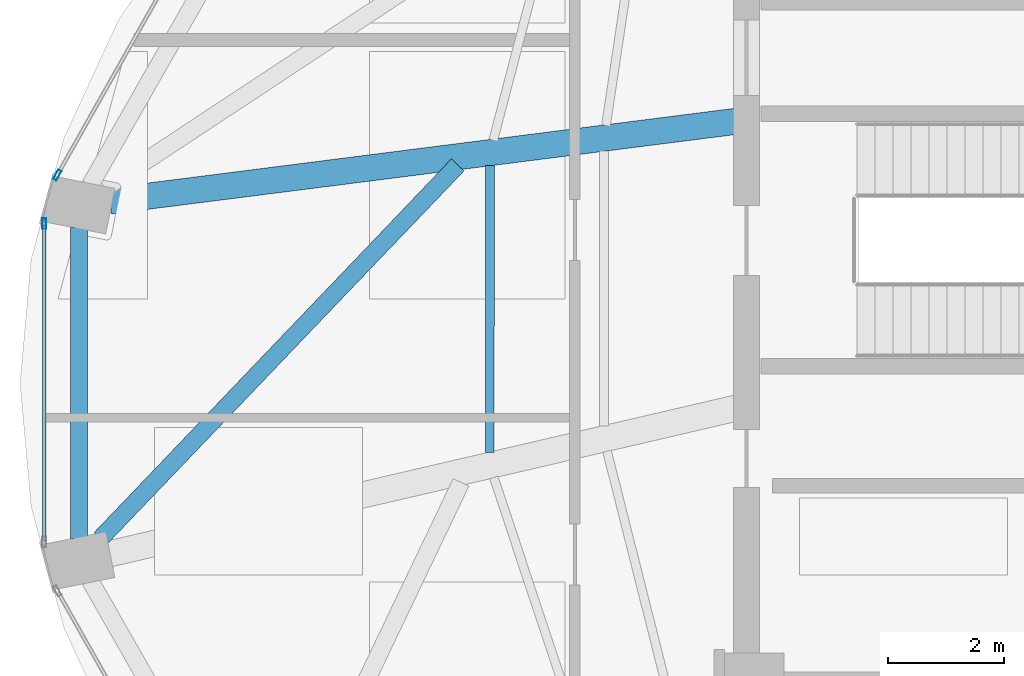
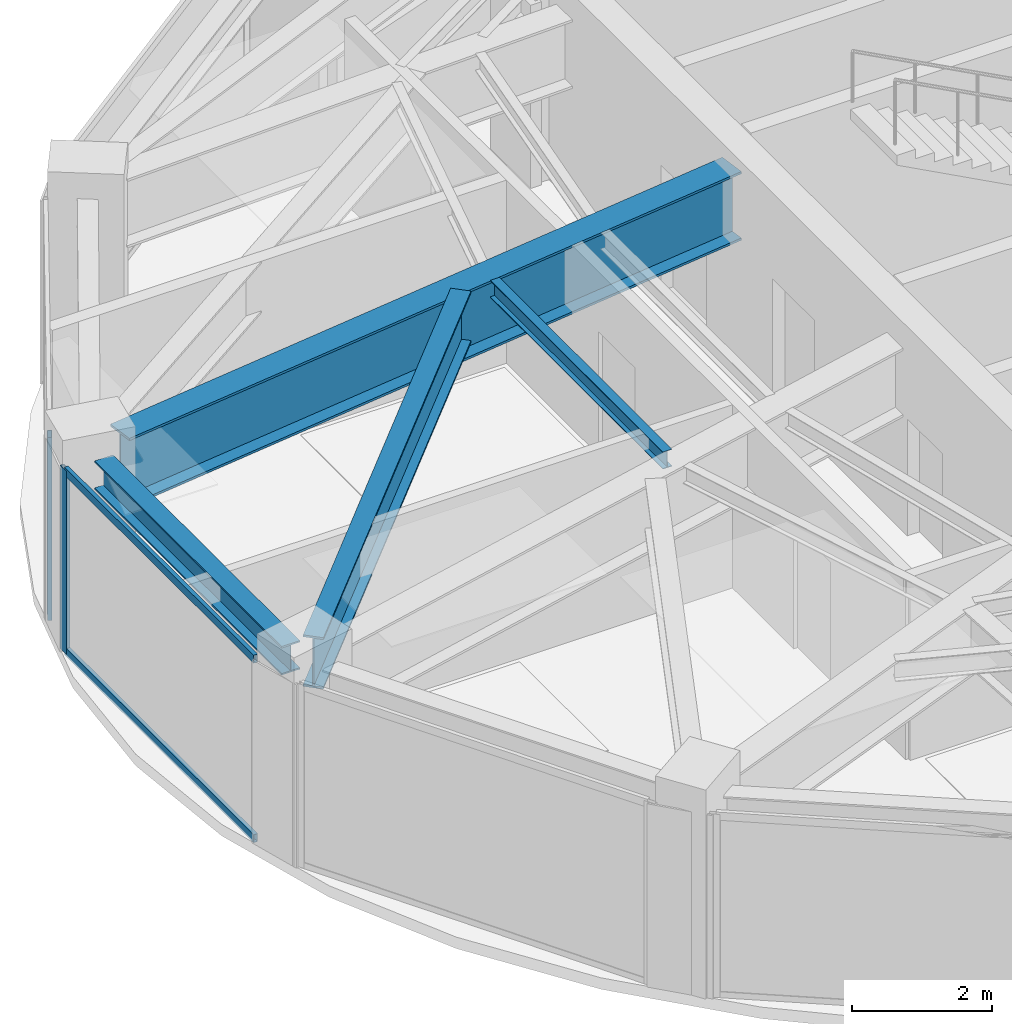
# One storey, part 8 of 23: 4 beams, 4 members, 2 elements without a shape of their own.
"""IFC4 building model written with IfcOpenShell, lengths in metres."""

import ifcopenshell
import ifcopenshell.guid

model = None  # the IFC model being written
_history = None  # IfcOwnerHistory: only IFC2X3 demands one
_inside = {}  # id of a spatial element -> (the spatial element, [elements in it])
_under = {}  # id of a project, library or spatial element -> (it, [spatial elements below it])
_declared = {}  # id of a project -> (the project, [libraries it declares])
_typed = {}  # id of a type object -> (the type object, [elements of that type])
_made_of = {}  # id of a material, layer set ... -> (it, [elements and type objects made of it])


def new_model(schema):
    """Start an empty IFC model of exactly this schema.

    Asked for "IFC4X3", IfcOpenShell would pick the latest addendum, in which some entities
    have other attributes; the version numbers below select the first issue.
    IFC2X3 requires an IfcOwnerHistory on every rooted entity: one is made here for all.
    """
    global model, _history
    if schema == "IFC4X3":
        model = ifcopenshell.file(schema_version=(4, 3, 0, 0))
    else:
        model = ifcopenshell.file(schema=schema)
    _inside.clear()
    _under.clear()
    _declared.clear()
    _typed.clear()
    _made_of.clear()
    _history = None
    if model.schema == "IFC2X3":
        org = make("IfcOrganization", Name="unknown")
        user = make(
            "IfcPersonAndOrganization",
            ThePerson=make("IfcPerson", FamilyName="unknown"),
            TheOrganization=org,
        )
        app = make(
            "IfcApplication",
            ApplicationDeveloper=org,
            Version="unknown",
            ApplicationFullName="unknown",
            ApplicationIdentifier="unknown",
        )
        _history = make(
            "IfcOwnerHistory",
            OwningUser=user,
            OwningApplication=app,
            ChangeAction="ADDED",
            CreationDate=0,
        )
    return model


def make(cls, **values):
    """One entity of the class cls with the attributes given. An attribute that is None is left unset."""
    return model.create_entity(
        cls, **{name: value for name, value in values.items() if value is not None}
    )


def rooted(cls, **values):
    """An entity with a GlobalId (a new one), such as an element, a storey or a relation."""
    return make(cls, GlobalId=ifcopenshell.guid.new(), OwnerHistory=_history, **values)


def si_unit(unit_type, name, prefix=None):
    """IfcSIUnit, for example si_unit("LENGTHUNIT", "METRE", prefix="MILLI")."""
    return make("IfcSIUnit", UnitType=unit_type, Prefix=prefix, Name=name)


def assignment(units):
    """IfcUnitAssignment: the units of a project."""
    return None if units is None else make("IfcUnitAssignment", Units=units)


def point(xyz):
    """IfcCartesianPoint."""
    return None if xyz is None else make("IfcCartesianPoint", Coordinates=xyz)


def direction(xyz):
    """IfcDirection."""
    return None if xyz is None else make("IfcDirection", DirectionRatios=xyz)


def frame(location, z_axis=None, x_axis=None):
    """IfcAxis2Placement3D, a coordinate frame: its origin and axes. An axis left out is left unset."""
    return make(
        "IfcAxis2Placement3D",
        Location=point(location),
        Axis=direction(z_axis),
        RefDirection=direction(x_axis),
    )


def frame_2d(location, x_axis=None):
    """IfcAxis2Placement2D, a coordinate frame in the plane: its origin and x axis."""
    return make(
        "IfcAxis2Placement2D", Location=point(location), RefDirection=direction(x_axis)
    )


def origin():
    """The frame at (0, 0, 0) with its axes left unset."""
    return frame((0.0, 0.0, 0.0))


def origin_2d():
    """The frame at (0, 0) in the plane with its x axis left unset."""
    return frame_2d((0.0, 0.0))


def place(relative_to, where):
    """IfcLocalPlacement: puts the frame where relative to a parent placement (None: the world)."""
    return make(
        "IfcLocalPlacement", PlacementRelTo=relative_to, RelativePlacement=where
    )


def context(
    kind, dimensions, precision=None, world=None, true_north=None, identifier=None
):
    """IfcGeometricRepresentationContext, for example the 3D "Model" context."""
    return make(
        "IfcGeometricRepresentationContext",
        ContextIdentifier=identifier,
        ContextType=kind,
        CoordinateSpaceDimension=dimensions,
        Precision=precision,
        WorldCoordinateSystem=world,
        TrueNorth=true_north,
    )


def subcontext(parent, identifier, kind, view, scale=None):
    """IfcGeometricRepresentationSubContext, for example "Body" below "Model"."""
    return make(
        "IfcGeometricRepresentationSubContext",
        ContextIdentifier=identifier,
        ContextType=kind,
        ParentContext=parent,
        TargetScale=scale,
        TargetView=view,
    )


def project(units=None, contexts=None):
    """IfcProject with its units and contexts."""
    return rooted(
        "IfcProject",
        Name="project",
        RepresentationContexts=contexts,
        UnitsInContext=assignment(units),
    )


def spatial(cls, under=None, at=None, **own):
    """A site, building, storey or space (cls), placed at a placement, below another one or the project."""
    s = rooted(cls, ObjectPlacement=at, **own)
    if under is not None:
        _under.setdefault(under.id(), (under, []))[1].append(s)
    return s


def profile(cls, at=None, kind="AREA", **sizes):
    """A parametric profile (cls). Its sizes go by their IFC names, for example OverallWidth=200.0."""
    return make(cls, ProfileType=kind, Position=at, **sizes)


def hollow_rectangle(**sizes):
    """IfcRectangleHollowProfileDef."""
    return profile("IfcRectangleHollowProfileDef", **sizes)


def i_section(**sizes):
    """IfcIShapeProfileDef."""
    return profile("IfcIShapeProfileDef", **sizes)


def extrude(swept, where, along, depth):
    """IfcExtrudedAreaSolid: the profile swept, set in the frame where, extruded along a direction by depth."""
    return make(
        "IfcExtrudedAreaSolid",
        SweptArea=swept,
        Position=where,
        ExtrudedDirection=direction(along),
        Depth=depth,
    )


def shape(context_of_items, identifier, shape_type, items):
    """IfcShapeRepresentation: the items that make up one representation, for example the "Body"."""
    return make(
        "IfcShapeRepresentation",
        ContextOfItems=context_of_items,
        RepresentationIdentifier=identifier,
        RepresentationType=shape_type,
        Items=items,
    )


def material(Name=None, Category=None):
    """IfcMaterial."""
    return make("IfcMaterial", Name=Name, Category=Category)


def layer(
    of_material, thickness, ventilated=None, Name=None, Category=None, Priority=None
):
    """IfcMaterialLayer: one layer of a wall or slab, of a material (None: an air gap)."""
    return make(
        "IfcMaterialLayer",
        Material=of_material,
        LayerThickness=thickness,
        IsVentilated=ventilated,
        Name=Name,
        Category=Category,
        Priority=Priority,
    )


def layer_set(layers, Name=None):
    """IfcMaterialLayerSet."""
    return make("IfcMaterialLayerSet", MaterialLayers=layers, LayerSetName=Name)


def material_profile(
    of_material, cross_section, Name=None, Category=None, Priority=None
):
    """IfcMaterialProfile: a cross section and its material."""
    return make(
        "IfcMaterialProfile",
        Name=Name,
        Material=of_material,
        Profile=cross_section,
        Priority=Priority,
        Category=Category,
    )


def profile_set(profiles, Name=None, composite=None):
    """IfcMaterialProfileSet."""
    return make(
        "IfcMaterialProfileSet",
        Name=Name,
        MaterialProfiles=profiles,
        CompositeProfile=composite,
    )


def made_of(thing, what):
    """Note that an element or type object is made of a material, layer set ...; save() writes the relation."""
    if what is not None:
        _made_of.setdefault(what.id(), (what, []))[1].append(thing)
    return thing


def type_object(cls, material=None, **own):
    """A type object (cls), such as IfcWallType, which elements share."""
    return made_of(rooted(cls, **own), material)


def element(
    cls,
    number,
    at=None,
    inside=None,
    cuts=None,
    type_object=None,
    material=None,
    context=None,
    identifier="Body",
    shape_type=None,
    held_by="IfcProductDefinitionShape",
    body=None,
    shapes=None,
    **own,
):
    """One element of the class cls, such as IfcWall. Its Tag is "e" and its number.

    at: its placement. inside: the storey or other place that contains it. cuts: it is an
    opening in that element (IfcRelVoidsElement). A single representation is given by context,
    identifier, shape_type and body (its items); several are given by shapes. held_by: the class
    of the entity that holds the representations. save() writes the other relations.
    """
    e = rooted(cls, Tag="e%d" % number, ObjectPlacement=at, **own)
    if body is not None:
        shapes = [shape(context, identifier, shape_type, body)]
    if shapes is not None:
        e.Representation = make(held_by, Representations=shapes)
    if inside is not None:
        _inside.setdefault(inside.id(), (inside, []))[1].append(e)
    if cuts is not None:
        rooted(
            "IfcRelVoidsElement", RelatingBuildingElement=cuts, RelatedOpeningElement=e
        )
    if type_object is not None:
        _typed.setdefault(type_object.id(), (type_object, []))[1].append(e)
    return made_of(e, material)


def aggregate(whole, parts):
    """IfcRelAggregates: a whole, such as a stair, and the parts it consists of."""
    return rooted("IfcRelAggregates", RelatingObject=whole, RelatedObjects=parts)


def save(model, path):
    """Write the relations noted so far, then the file.

    IfcRelAggregates (storeys below a building ...), IfcRelContainedInSpatialStructure (elements
    in a storey), IfcRelDefinesByType, IfcRelAssociatesMaterial and IfcRelDeclares: one each for
    every whole, place, type object, material and project.
    """
    for whole, parts in _under.values():
        aggregate(whole, parts)
    for where, things in _inside.values():
        rooted(
            "IfcRelContainedInSpatialStructure",
            RelatedElements=things,
            RelatingStructure=where,
        )
    for kind, things in _typed.values():
        rooted("IfcRelDefinesByType", RelatedObjects=things, RelatingType=kind)
    for what, things in _made_of.values():
        rooted("IfcRelAssociatesMaterial", RelatedObjects=things, RelatingMaterial=what)
    for by, libraries in _declared.values():
        rooted("IfcRelDeclares", RelatingContext=by, RelatedDefinitions=libraries)
    model.write(path)


model = new_model("IFC4")

# Units and contexts
model_context = context("Model", 3, precision=1e-05, world=origin(), true_north=direction((0.0, 1.0)))
body_context = subcontext(model_context, "Body", "Model", "MODEL_VIEW")
ifc_project = project(units=[si_unit("LENGTHUNIT", "METRE"), si_unit("AREAUNIT", "SQUARE_METRE"), si_unit("VOLUMEUNIT", "CUBIC_METRE"), si_unit("PLANEANGLEUNIT", "RADIAN"), si_unit("MASSUNIT", "GRAM", prefix="KILO")], contexts=[model_context])

# Site, building, storey
site_placement = place(None, origin())
site = spatial("IfcSite", under=ifc_project, at=site_placement, CompositionType="ELEMENT")
building_placement = place(site_placement, origin())
building = spatial("IfcBuilding", under=site, at=building_placement, Name="Lazwardi Medical Tower", CompositionType="ELEMENT")
storey_placement = place(building_placement, frame((0.0, 0.0, 265.968017578125)))
storey = spatial("IfcBuildingStorey", under=building, at=storey_placement, Name="L69", CompositionType="ELEMENT", Elevation=265.968017578125)

# Beams
ifc_material_1 = material(Name="Steel S460", Category="steel")
ifc_material_profile_1 = material_profile(ifc_material_1, i_section(OverallWidth=0.300048828125, OverallDepth=0.89990234375, WebThickness=0.0185546875, FlangeThickness=0.034912109375, at=origin_2d()), Name="HEB 900")
ifc_profile_set_1 = profile_set([ifc_material_profile_1], Name="Steel S460")
beam_type_1 = type_object("IfcBeamType", Name="BM-HB-01", PredefinedType="BEAM", material=ifc_profile_set_1)
beam_1_placement = place(storey_placement, frame((21.33251953125, 29.352783203125, 2.748046875), z_axis=(-0.691121064064, -0.722739008776, 0.0), x_axis=(0.722739008776, -0.691121064064, 0.0)))
element("IfcBeam", 1, at=beam_1_placement, inside=storey, type_object=beam_type_1, Name="Transfer girder tie HB-01 M12 L69", PredefinedType="BEAM", context=body_context, shape_type="SweptSolid", body=[
    extrude(i_section(OverallWidth=0.300048828125, OverallDepth=0.89990234375, WebThickness=0.0185546875, FlangeThickness=0.034912109375, at=origin_2d()), origin(), (0.0, 0.0, 1.0), 8.895263671875),
])
ifc_material_2 = material(Name="Steel S355", Category="steel")
ifc_material_profile_2 = material_profile(ifc_material_2, i_section(OverallWidth=0.300048828125, OverallDepth=0.5, WebThickness=0.014404296875, FlangeThickness=0.028076171875, at=origin_2d()), Name="HEB 500")
ifc_profile_set_2 = profile_set([ifc_material_profile_2], Name="Steel S355")
beam_type_2 = type_object("IfcBeamType", Name="BM-RB-Z4", PredefinedType="BEAM", material=ifc_profile_set_2)
beam_2_placement = place(storey_placement, frame((14.81494140625, 28.27294921875, 2.947998046875), z_axis=(0.0, -1.0, 0.0), x_axis=(1.0, 0.0, 0.0)))
element("IfcBeam", 2, at=beam_2_placement, inside=storey, type_object=beam_type_2, Name="Ring beam RB-05 B12 L69", PredefinedType="BEAM", context=body_context, shape_type="SweptSolid", body=[
    extrude(i_section(OverallWidth=0.300048828125, OverallDepth=0.5, WebThickness=0.014404296875, FlangeThickness=0.028076171875, at=origin_2d()), origin(), (0.0, 0.0, 1.0), 5.345947265625),
])
ifc_material_profile_3 = material_profile(ifc_material_2, i_section(OverallWidth=0.14990234375, OverallDepth=0.300048828125, WebThickness=0.007080078125, FlangeThickness=0.0107421875, at=origin_2d()), Name="IPE 300")
ifc_profile_set_3 = profile_set([ifc_material_profile_3], Name="Steel S355")
beam_type_3 = type_object("IfcBeamType", Name="BM-SJ-03", PredefinedType="JOIST", material=ifc_profile_set_3)
beam_3_placement = place(storey_placement, frame((21.88818359375, 29.34326171875, 3.048095703125), z_axis=(-0.000740996684, -0.999999725462, 0.0), x_axis=(0.999999725462, -0.000740996684, 0.0)))
element("IfcBeam", 3, at=beam_3_placement, inside=storey, type_object=beam_type_3, Name="Secondary joist SJ-03 R3 B12 L69", PredefinedType="JOIST", context=body_context, shape_type="SweptSolid", body=[
    extrude(i_section(OverallWidth=0.14990234375, OverallDepth=0.300048828125, WebThickness=0.007080078125, FlangeThickness=0.0107421875, at=origin_2d()), origin(), (0.0, 0.0, 1.0), 4.942138671875),
])
ifc_material_profile_4 = material_profile(ifc_material_1, i_section(OverallWidth=0.449951171875, OverallDepth=1.199951171875, WebThickness=0.02490234375, FlangeThickness=0.0400390625, at=origin_2d()), Name="PG 1200x450")
ifc_profile_set_4 = profile_set([ifc_material_profile_4], Name="Steel S460")
beam_type_4 = type_object("IfcBeamType", Name="BM-TG-02", PredefinedType="BEAM", material=ifc_profile_set_4)
beam_4_placement = place(storey_placement, frame((15.345703125, 28.73046875, 2.597900390625), z_axis=(0.991996546107, 0.126265009059, 0.0), x_axis=(-0.126265009059, 0.991996546107, 0.0)))
element("IfcBeam", 4, at=beam_4_placement, inside=storey, type_object=beam_type_4, Name="Transfer girder TG-02 M12 L69", PredefinedType="BEAM", context=body_context, shape_type="SweptSolid", body=[
    extrude(i_section(OverallWidth=0.449951171875, OverallDepth=1.199951171875, WebThickness=0.02490234375, FlangeThickness=0.0400390625, at=origin_2d()), origin(), (0.0, 0.0, 1.0), 10.9921875),
])

# Curtain wall, member
ifc_material_3 = material(Name="Anodised bronze aluminium and solar control glazing", Category="aluminium")
ifc_layer = layer(ifc_material_3, 0.18994140625)
ifc_layer_set = layer_set([ifc_layer], Name="Anodised bronze aluminium and solar control glazing")
curtain_wall_type = type_object("IfcCurtainWallType", Name="CW-SYS-04", PredefinedType="NOTDEFINED", material=ifc_layer_set)
curtain_wall_1_placement = place(storey_placement, origin())
curtain_wall_1 = element("IfcCurtainWall", 5, at=curtain_wall_1_placement, inside=storey, type_object=curtain_wall_type, Name="L69 Unitised bronze curtain wall CW-04", PredefinedType="NOTDEFINED")
ifc_material_4 = material(Name="Anodised bronze aluminium", Category="aluminium")
ifc_material_profile_5 = material_profile(ifc_material_4, hollow_rectangle(XDim=0.06494140625, YDim=0.179931640625, WallThickness=0.00390625, at=origin_2d()), Name="ALU-MULLION 180x65x4")
ifc_profile_set_5 = profile_set([ifc_material_profile_5], Name="Anodised bronze aluminium")
member_type_1 = type_object("IfcMemberType", Name="CW-MUL-03", PredefinedType="MULLION", material=ifc_profile_set_5)
member_1_placement = place(storey_placement, frame((14.442626953125, 29.17822265625, 0.0), z_axis=(0.0, 0.0, 1.0), x_axis=(0.870651436011, -0.491900474661, 0.0)))
member_1 = element("IfcMember", 6, at=member_1_placement, type_object=member_type_1, Name="CW-04 mullion 2", PredefinedType="MULLION", context=body_context, shape_type="SweptSolid", body=[
    extrude(hollow_rectangle(XDim=0.06494140625, YDim=0.179931640625, WallThickness=0.00390625, at=origin_2d()), origin(), (0.0, 0.0, 1.0), 3.197998046875),
])
aggregate(curtain_wall_1, [member_1])

# Curtain wall, members
curtain_wall_2_placement = place(storey_placement, origin())
curtain_wall_2 = element("IfcCurtainWall", 7, at=curtain_wall_2_placement, inside=storey, type_object=curtain_wall_type, Name="L69 Unitised bronze curtain wall CW-04", PredefinedType="NOTDEFINED")
member_2_placement = place(storey_placement, frame((14.2158203125, 28.340576171875, 0.0), z_axis=(0.0, 0.0, 1.0), x_axis=(1.0, 0.0, 0.0)))
member_2 = element("IfcMember", 8, at=member_2_placement, type_object=member_type_1, Name="CW-04 mullion 1", PredefinedType="MULLION", context=body_context, shape_type="SweptSolid", body=[
    extrude(hollow_rectangle(XDim=0.06494140625, YDim=0.179931640625, WallThickness=0.00390625, at=origin_2d()), origin(), (0.0, 0.0, 1.0), 3.197998046875),
])
ifc_material_profile_6 = material_profile(ifc_material_4, hollow_rectangle(XDim=0.06494140625, YDim=0.139892578125, WallThickness=0.00341796875, at=origin_2d()), Name="ALU-TRANSOM 140x65x3.5")
ifc_profile_set_6 = profile_set([ifc_material_profile_6], Name="Anodised bronze aluminium")
member_type_2 = type_object("IfcMemberType", Name="CW-TRN-03", PredefinedType="USERDEFINED", material=ifc_profile_set_6)
member_3_placement = place(storey_placement, frame((14.2158203125, 28.30810546875, 0.032470703125), z_axis=(0.0, -1.0, 0.0), x_axis=(1.0, 0.0, 0.0)))
member_3 = element("IfcMember", 9, at=member_3_placement, type_object=member_type_2, Name="CW-04 transom 1.1", ObjectType="TRANSOM", PredefinedType="USERDEFINED", context=body_context, shape_type="SweptSolid", body=[
    extrude(hollow_rectangle(XDim=0.06494140625, YDim=0.139892578125, WallThickness=0.00341796875, at=origin_2d()), origin(), (0.0, 0.0, 1.0), 5.416015625),
])
member_4_placement = place(storey_placement, frame((14.2158203125, 28.30810546875, 3.16552734375), z_axis=(0.0, -1.0, 0.0), x_axis=(1.0, 0.0, 0.0)))
member_4 = element("IfcMember", 10, at=member_4_placement, type_object=member_type_2, Name="CW-04 transom 1.2", ObjectType="TRANSOM", PredefinedType="USERDEFINED", context=body_context, shape_type="SweptSolid", body=[
    extrude(hollow_rectangle(XDim=0.06494140625, YDim=0.139892578125, WallThickness=0.00341796875, at=origin_2d()), origin(), (0.0, 0.0, 1.0), 5.416015625),
])
aggregate(curtain_wall_2, [member_2, member_3, member_4])

save(model, "model.ifc")
